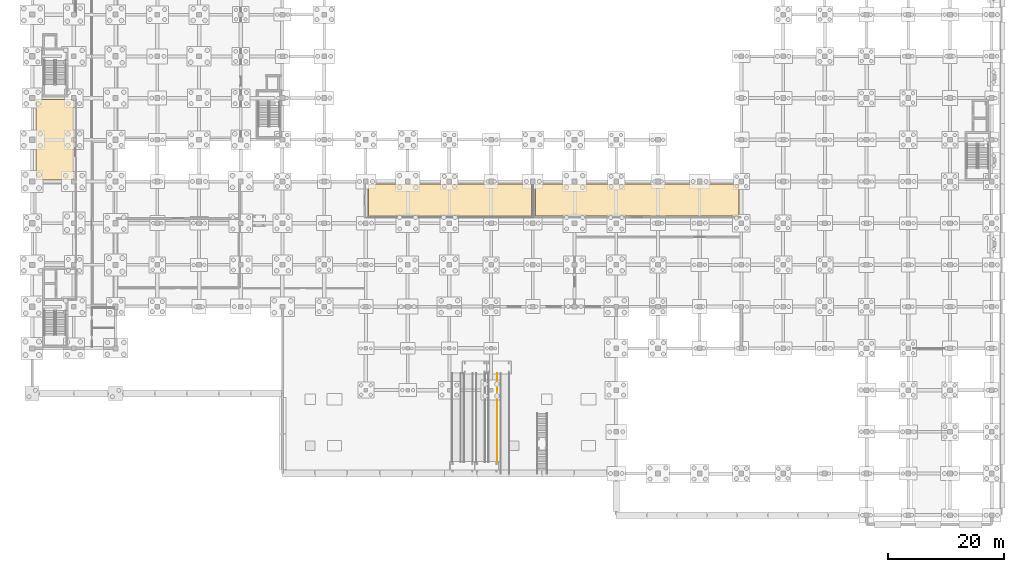
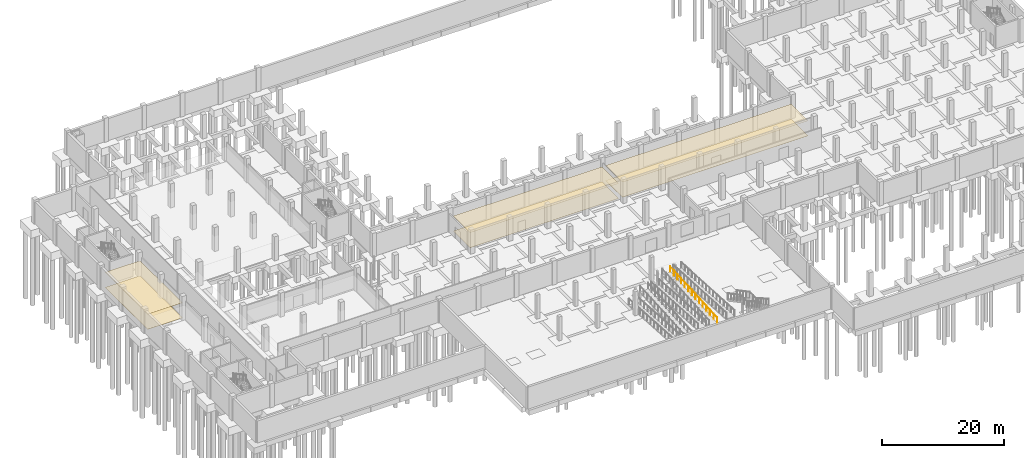
# One storey, part 34 of 38: 6 coverings, 1 railing.
"""IFC4 building model written with IfcOpenShell, lengths in metres."""

from ifc_helpers import new_model, si_unit, direction, frame, origin, origin_2d, place, context, subcontext, project, spatial, polyline, circle, outline, extrude, material, layer, layer_set, type_object, element, save


model = new_model("IFC4")

# Units and contexts
model_context = context("Model", 3, precision=1e-05, world=origin(), true_north=direction((0.0, 1.0)))
body_context = subcontext(model_context, "Body", "Model", "MODEL_VIEW")
ifc_project = project(units=[si_unit("LENGTHUNIT", "METRE"), si_unit("AREAUNIT", "SQUARE_METRE"), si_unit("VOLUMEUNIT", "CUBIC_METRE"), si_unit("PLANEANGLEUNIT", "RADIAN"), si_unit("MASSUNIT", "GRAM", prefix="KILO")], contexts=[model_context])

# Site, building, storey
site_placement = place(None, origin())
site = spatial("IfcSite", under=ifc_project, at=site_placement, CompositionType="ELEMENT")
building_placement = place(site_placement, origin())
building = spatial("IfcBuilding", under=site, at=building_placement, Name="Valkovuoma Quantum and Materials Research Institute", CompositionType="ELEMENT")
storey_placement = place(building_placement, frame((0.0, 0.0, -4.800048828125)))
storey = spatial("IfcBuildingStorey", under=building, at=storey_placement, Name="B1", CompositionType="ELEMENT", Elevation=-4.800048828125)

# Coverings
ifc_material_1 = material(Name="Cleanable acoustic mineral-fibre suspended ceiling", Category="masonry")
ifc_layer_1 = layer(ifc_material_1, 0.02490234375)
ifc_layer_set_1 = layer_set([ifc_layer_1], Name="Cleanable acoustic mineral-fibre suspended ceiling")
covering_type_1 = type_object("IfcCoveringType", Name="Cov-CEIL-01", PredefinedType="CEILING", material=ifc_layer_set_1)
covering_1_placement = place(storey_placement, frame((0.0, 0.0, 3.0)))
element("IfcCovering", 1, at=covering_1_placement, inside=storey, type_object=covering_type_1, Name="B1 acoustic ceiling 0002", PredefinedType="CEILING", context=body_context, shape_type="SweptSolid", body=[
    extrude(outline(polyline([(0.64990234375, 57.85009765625), (7.25, 57.85009765625), (7.25, 71.75), (0.64990234375, 71.75), (0.64990234375, 57.85009765625)])), origin(), (0.0, 0.0, 1.0), 0.025146484375),
])
covering_2_placement = place(storey_placement, frame((0.0, 0.0, 3.0)))
element("IfcCovering", 2, at=covering_2_placement, inside=storey, type_object=covering_type_1, Name="B1 acoustic ceiling 0006", PredefinedType="CEILING", context=body_context, shape_type="SweptSolid", body=[
    extrude(outline(polyline([(58.050048828125, 51.64990234375), (86.14990234375, 51.64990234375), (86.14990234375, 57.14990234375), (58.050048828125, 57.14990234375), (58.050048828125, 51.64990234375)])), origin(), (0.0, 0.0, 1.0), 0.025146484375),
])
covering_3_placement = place(storey_placement, frame((0.0, 0.0, 3.0)))
element("IfcCovering", 3, at=covering_3_placement, inside=storey, type_object=covering_type_1, Name="B1 acoustic ceiling 0007", PredefinedType="CEILING", context=body_context, shape_type="SweptSolid", body=[
    extrude(outline(polyline([(86.85009765625, 51.64990234375), (121.949951171875, 51.64990234375), (121.949951171875, 57.14990234375), (86.85009765625, 57.14990234375), (86.85009765625, 51.64990234375)])), origin(), (0.0, 0.0, 1.0), 0.025146484375),
])
ifc_material_2 = material(Name="Seamless dissipative laboratory resin flooring", Category="masonry")
ifc_layer_2 = layer(ifc_material_2, 0.014892578125)
ifc_layer_set_2 = layer_set([ifc_layer_2], Name="Seamless dissipative laboratory resin flooring")
covering_type_2 = type_object("IfcCoveringType", Name="Cov-FLOR-01", PredefinedType="FLOORING", material=ifc_layer_set_2)
covering_4_placement = place(storey_placement, origin())
element("IfcCovering", 4, at=covering_4_placement, inside=storey, type_object=covering_type_2, Name="B1 resin flooring 0002", PredefinedType="FLOORING", context=body_context, shape_type="SweptSolid", body=[
    extrude(outline(polyline([(0.64990234375, 57.85009765625), (7.25, 57.85009765625), (7.25, 71.75), (0.64990234375, 71.75), (0.64990234375, 57.85009765625)])), origin(), (0.0, 0.0, 1.0), 0.01513671875),
])
covering_5_placement = place(storey_placement, origin())
element("IfcCovering", 5, at=covering_5_placement, inside=storey, type_object=covering_type_2, Name="B1 resin flooring 0006", PredefinedType="FLOORING", context=body_context, shape_type="SweptSolid", body=[
    extrude(outline(polyline([(58.050048828125, 51.64990234375), (86.14990234375, 51.64990234375), (86.14990234375, 57.14990234375), (58.050048828125, 57.14990234375), (58.050048828125, 51.64990234375)])), origin(), (0.0, 0.0, 1.0), 0.01513671875),
])
covering_6_placement = place(storey_placement, origin())
element("IfcCovering", 6, at=covering_6_placement, inside=storey, type_object=covering_type_2, Name="B1 resin flooring 0007", PredefinedType="FLOORING", context=body_context, shape_type="SweptSolid", body=[
    extrude(outline(polyline([(86.85009765625, 51.64990234375), (121.949951171875, 51.64990234375), (121.949951171875, 57.14990234375), (86.85009765625, 57.14990234375), (86.85009765625, 51.64990234375)])), origin(), (0.0, 0.0, 1.0), 0.01513671875),
])

# Railing
ifc_material_3 = material(Name="Hot-dip galvanised and powder-coated steel guardrail", Category="steel")
railing_type = type_object("IfcRailingType", Name="Rail-GRD-EXT", PredefinedType="BALUSTRADE", material=ifc_material_3)
railing_placement = place(storey_placement, frame((80.25, 9.14990234375, 2.880126953125)))
element("IfcRailing", 7, at=railing_placement, inside=storey, type_object=railing_type, Name="Forecourt ramp guard 4-E", PredefinedType="BALUSTRADE", context=body_context, shape_type="SweptSolid", body=[
    extrude(circle(Radius=0.02392578125, at=origin_2d()), frame((0.0, 0.0, 1.17578125), z_axis=(0.0, 0.998052763656, 0.06237532332), x_axis=(-1.0, 0.0, 0.0)), (0.0, 0.0, 1.0), 15.39013671875),
    extrude(circle(Radius=0.02099609375, at=origin_2d()), origin(), (0.0, 0.0, 1.0), 1.15185546875),
    extrude(circle(Radius=0.02099609375, at=origin_2d()), frame((0.0, 1.181640625, 0.07373046875)), (0.0, 0.0, 1.0), 1.15185546875),
    extrude(circle(Radius=0.02099609375, at=origin_2d()), frame((0.0, 2.363037109375, 0.147705078125)), (0.0, 0.0, 1.0), 1.15185546875),
    extrude(circle(Radius=0.02099609375, at=origin_2d()), frame((0.0, 3.544677734375, 0.221435546875)), (0.0, 0.0, 1.0), 1.15185546875),
    extrude(circle(Radius=0.02099609375, at=origin_2d()), frame((0.0, 4.72607421875, 0.29541015625)), (0.0, 0.0, 1.0), 1.15185546875),
    extrude(circle(Radius=0.02099609375, at=origin_2d()), frame((0.0, 5.90771484375, 0.369140625)), (0.0, 0.0, 1.0), 1.15185546875),
    extrude(circle(Radius=0.02099609375, at=origin_2d()), frame((0.0, 7.08935546875, 0.443115234375)), (0.0, 0.0, 1.0), 1.15185546875),
    extrude(circle(Radius=0.02099609375, at=origin_2d()), frame((0.0, 8.270751953125, 0.516845703125)), (0.0, 0.0, 1.0), 1.15185546875),
    extrude(circle(Radius=0.02099609375, at=origin_2d()), frame((0.0, 9.452392578125, 0.5908203125)), (0.0, 0.0, 1.0), 1.15185546875),
    extrude(circle(Radius=0.02099609375, at=origin_2d()), frame((0.0, 10.634033203125, 0.66455078125)), (0.0, 0.0, 1.0), 1.15185546875),
    extrude(circle(Radius=0.02099609375, at=origin_2d()), frame((0.0, 11.8154296875, 0.738525390625)), (0.0, 0.0, 1.0), 1.15185546875),
    extrude(circle(Radius=0.02099609375, at=origin_2d()), frame((0.0, 12.9970703125, 0.812255859375)), (0.0, 0.0, 1.0), 1.15185546875),
    extrude(circle(Radius=0.02099609375, at=origin_2d()), frame((0.0, 14.178466796875, 0.88623046875)), (0.0, 0.0, 1.0), 1.15185546875),
    extrude(circle(Radius=0.02099609375, at=origin_2d()), frame((0.0, 15.360107421875, 0.9599609375)), (0.0, 0.0, 1.0), 1.15185546875),
])

save(model, "model.ifc")
